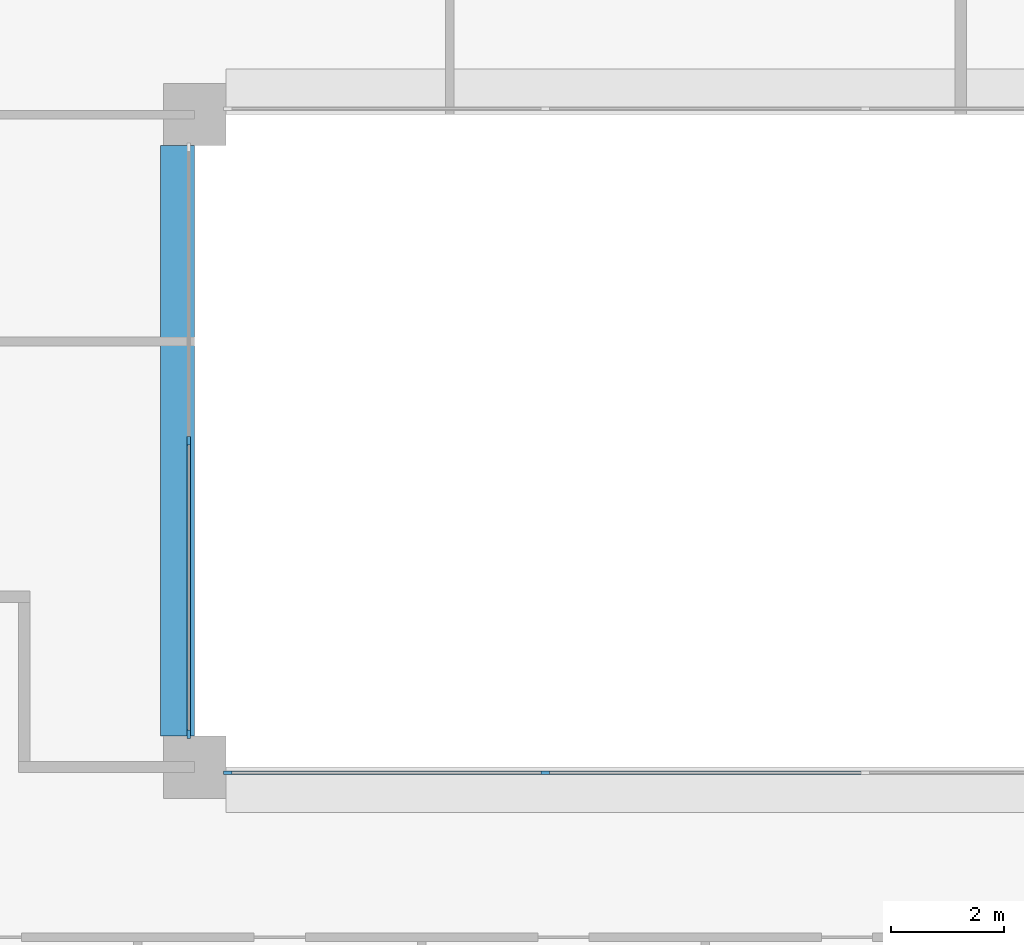
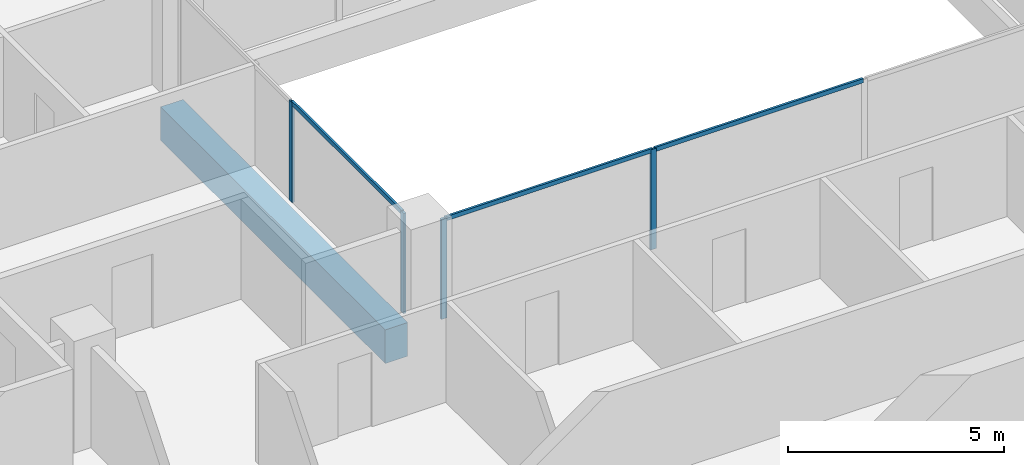
# One storey, part 2 of 15: 7 members, 1 beam, 2 elements without a shape of their own.
"""IFC4 building model written with IfcOpenShell, lengths in metres."""

from ifc_helpers import new_model, si_unit, direction, frame, origin, origin_2d, place, context, subcontext, project, spatial, rectangle, extrude, material, layer, layer_set, material_profile, profile_set, type_object, element, aggregate, save


model = new_model("IFC4")

# Units and contexts
model_context = context("Model", 3, precision=1e-05, world=origin(), true_north=direction((0.0, 1.0)))
body_context = subcontext(model_context, "Body", "Model", "MODEL_VIEW")
ifc_project = project(units=[si_unit("LENGTHUNIT", "METRE"), si_unit("AREAUNIT", "SQUARE_METRE"), si_unit("VOLUMEUNIT", "CUBIC_METRE"), si_unit("PLANEANGLEUNIT", "RADIAN"), si_unit("MASSUNIT", "GRAM", prefix="KILO")], contexts=[model_context])

# Site, building, storey
site_placement = place(None, origin())
site = spatial("IfcSite", under=ifc_project, at=site_placement, CompositionType="ELEMENT")
building_placement = place(site_placement, origin())
building = spatial("IfcBuilding", under=site, at=building_placement, Name="Brigalow Station Residences", CompositionType="ELEMENT")
storey_placement = place(building_placement, frame((0.0, 0.0, 150.75)))
storey = spatial("IfcBuildingStorey", under=building, at=storey_placement, Name="L43", CompositionType="ELEMENT", Elevation=150.75)

# Beam
ifc_material_1 = material(Name="Concrete C65", Category="concrete")
ifc_material_profile_1 = material_profile(ifc_material_1, rectangle(XDim=0.60009765625, YDim=0.949951171875, at=origin_2d()), Name="RC600x950")
ifc_profile_set_1 = profile_set([ifc_material_profile_1], Name="Concrete C65")
beam_type = type_object("IfcBeamType", Name="ATRIUM EDGE GIRDER 600x950 C65", PredefinedType="BEAM", material=ifc_profile_set_1)
beam_placement = place(storey_placement, frame((26.699951171875, 24.550048828125, -0.794921875), z_axis=(0.0, 1.0, 0.0), x_axis=(-1.0, 0.0, 0.0)))
element("IfcBeam", 1, at=beam_placement, inside=storey, type_object=beam_type, Name="ATRIUM EDGE GIRDER 3 L43", PredefinedType="BEAM", context=body_context, shape_type="SweptSolid", body=[
    extrude(rectangle(XDim=0.60009765625, YDim=0.949951171875, at=origin_2d()), origin(), (0.0, 0.0, 1.0), 10.39990234375),
])

# Curtain wall, members
ifc_material_2 = material(Name="Aluminium", Category="aluminium")
ifc_layer = layer(ifc_material_2, 0.14990234375)
ifc_layer_set = layer_set([ifc_layer], Name="ATRIUM FIRE-RATED GLAZING CURTAIN WALL")
curtain_wall_type = type_object("IfcCurtainWallType", Name="ATRIUM FIRE-RATED GLAZING CURTAIN WALL", PredefinedType="NOTDEFINED", material=ifc_layer_set)
curtain_wall_1_placement = place(storey_placement, origin())
curtain_wall_1 = element("IfcCurtainWall", 2, at=curtain_wall_1_placement, inside=storey, type_object=curtain_wall_type, Name="L43/cw/atrium-S", PredefinedType="NOTDEFINED")
ifc_material_3 = material(Name="Aluminium", Category="aluminium")
ifc_material_profile_2 = material_profile(ifc_material_3, rectangle(XDim=0.06005859375, YDim=0.14990234375, at=origin_2d()), Name="ATRIUM FIRE-RATED GLAZING MULLION 60x150")
ifc_profile_set_2 = profile_set([ifc_material_profile_2], Name="Aluminium")
member_type_1 = type_object("IfcMemberType", Name="ATRIUM FIRE-RATED GLAZING MULLION 60x150", PredefinedType="MULLION", material=ifc_profile_set_2)
member_1_placement = place(storey_placement, frame((27.580078125, 23.89990234375, 0.0), z_axis=(0.0, 0.0, 1.0), x_axis=(0.0, 1.0, 0.0)))
member_1 = element("IfcMember", 3, at=member_1_placement, type_object=member_type_1, Name="L43/cw/atrium-S/M00", PredefinedType="MULLION", context=body_context, shape_type="SweptSolid", body=[
    extrude(rectangle(XDim=0.06005859375, YDim=0.14990234375, at=origin_2d()), origin(), (0.0, 0.0, 1.0), 2.830078125),
])
member_2_placement = place(storey_placement, frame((33.183349609375, 23.89990234375, 0.0), z_axis=(0.0, 0.0, 1.0), x_axis=(0.0, 1.0, 0.0)))
member_2 = element("IfcMember", 4, at=member_2_placement, type_object=member_type_1, Name="L43/cw/atrium-S/M01", PredefinedType="MULLION", context=body_context, shape_type="SweptSolid", body=[
    extrude(rectangle(XDim=0.06005859375, YDim=0.14990234375, at=origin_2d()), origin(), (0.0, 0.0, 1.0), 2.830078125),
])

curtain_wall_2_placement = place(storey_placement, origin())
curtain_wall_2 = element("IfcCurtainWall", 5, at=curtain_wall_2_placement, inside=storey, type_object=curtain_wall_type, Name="L43/cw/atrium-W", PredefinedType="NOTDEFINED")
member_3_placement = place(storey_placement, frame((26.89990234375, 29.75, 0.0), z_axis=(0.0, 0.0, 1.0), x_axis=(1.0, 0.0, 0.0)))
member_3 = element("IfcMember", 6, at=member_3_placement, type_object=member_type_1, Name="L43/cw/atrium-W/M01", PredefinedType="MULLION", context=body_context, shape_type="SweptSolid", body=[
    extrude(rectangle(XDim=0.06005859375, YDim=0.14990234375, at=origin_2d()), origin(), (0.0, 0.0, 1.0), 2.830078125),
])
member_4_placement = place(storey_placement, frame((26.89990234375, 24.580078125, 0.0), z_axis=(0.0, 0.0, 1.0), x_axis=(1.0, 0.0, 0.0)))
member_4 = element("IfcMember", 7, at=member_4_placement, type_object=member_type_1, Name="L43/cw/atrium-W/M02", PredefinedType="MULLION", context=body_context, shape_type="SweptSolid", body=[
    extrude(rectangle(XDim=0.06005859375, YDim=0.14990234375, at=origin_2d()), origin(), (0.0, 0.0, 1.0), 2.830078125),
])

# Member
ifc_material_4 = material(Name="Aluminium", Category="aluminium")
ifc_material_profile_3 = material_profile(ifc_material_4, rectangle(XDim=0.06005859375, YDim=0.1201171875, at=origin_2d()), Name="ATRIUM FIRE-RATED GLAZING TRANSOM 60x120")
ifc_profile_set_3 = profile_set([ifc_material_profile_3], Name="Aluminium")
member_type_2 = type_object("IfcMemberType", Name="ATRIUM FIRE-RATED GLAZING TRANSOM 60x120", PredefinedType="USERDEFINED", material=ifc_profile_set_3)
member_5_placement = place(storey_placement, frame((27.610107421875, 23.89990234375, 2.800048828125), z_axis=(1.0, 0.0, 0.0), x_axis=(0.0, 1.0, 0.0)))
member_5 = element("IfcMember", 8, at=member_5_placement, type_object=member_type_2, Name="L43/cw/atrium-S/T00-00", ObjectType="TRANSOM", PredefinedType="USERDEFINED", context=body_context, shape_type="SweptSolid", body=[
    extrude(rectangle(XDim=0.06005859375, YDim=0.1201171875, at=origin_2d()), origin(), (0.0, 0.0, 1.0), 5.543212890625),
])

member_6_placement = place(storey_placement, frame((33.21337890625, 23.89990234375, 2.800048828125), z_axis=(1.0, 0.0, 0.0), x_axis=(0.0, 1.0, 0.0)))
member_6 = element("IfcMember", 9, at=member_6_placement, type_object=member_type_2, Name="L43/cw/atrium-S/T01-00", ObjectType="TRANSOM", PredefinedType="USERDEFINED", context=body_context, shape_type="SweptSolid", body=[
    extrude(rectangle(XDim=0.06005859375, YDim=0.1201171875, at=origin_2d()), origin(), (0.0, 0.0, 1.0), 5.5732421875),
])

aggregate(curtain_wall_1, [member_1, member_2, member_5, member_6])

member_7_placement = place(storey_placement, frame((26.89990234375, 29.719970703125, 2.800048828125), z_axis=(0.0, -1.0, 0.0), x_axis=(1.0, 0.0, 0.0)))
member_7 = element("IfcMember", 10, at=member_7_placement, type_object=member_type_2, Name="L43/cw/atrium-W/T01-00", ObjectType="TRANSOM", PredefinedType="USERDEFINED", context=body_context, shape_type="SweptSolid", body=[
    extrude(rectangle(XDim=0.06005859375, YDim=0.1201171875, at=origin_2d()), origin(), (0.0, 0.0, 1.0), 5.10986328125),
])

aggregate(curtain_wall_2, [member_3, member_4, member_7])

save(model, "model.ifc")
